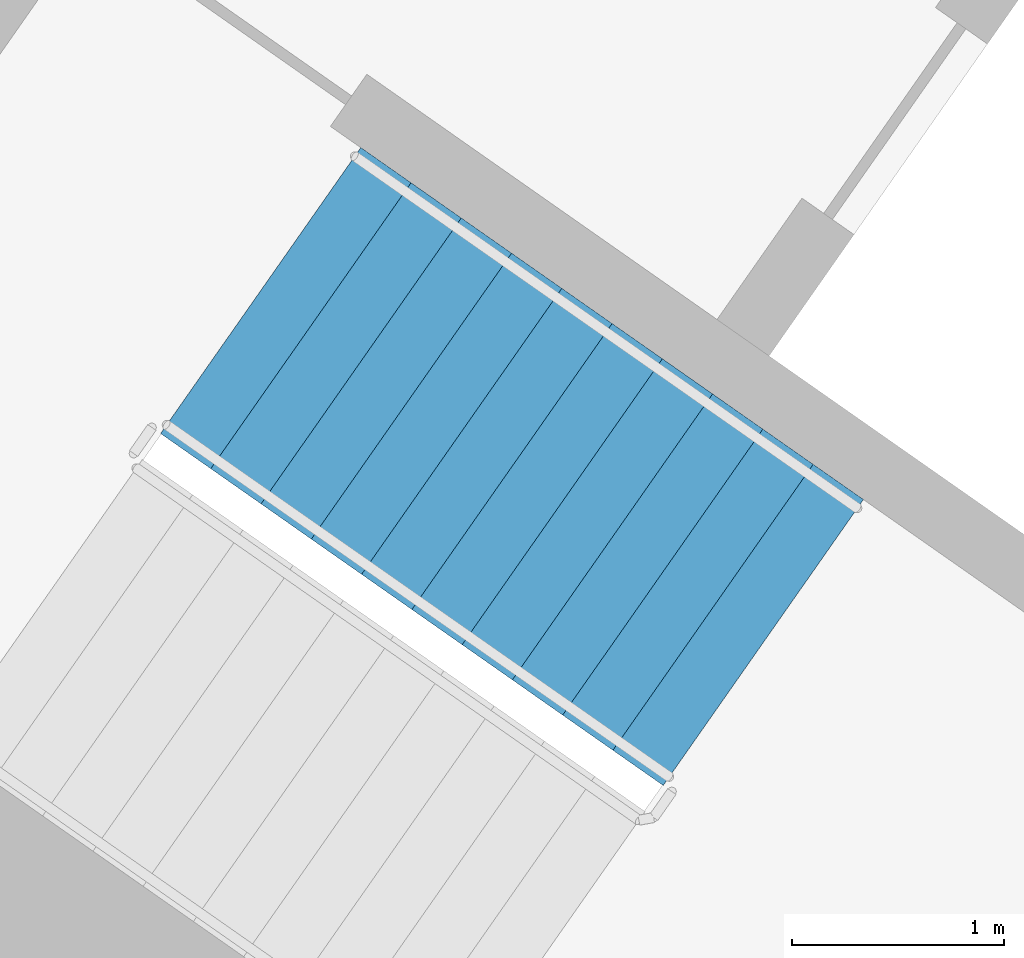
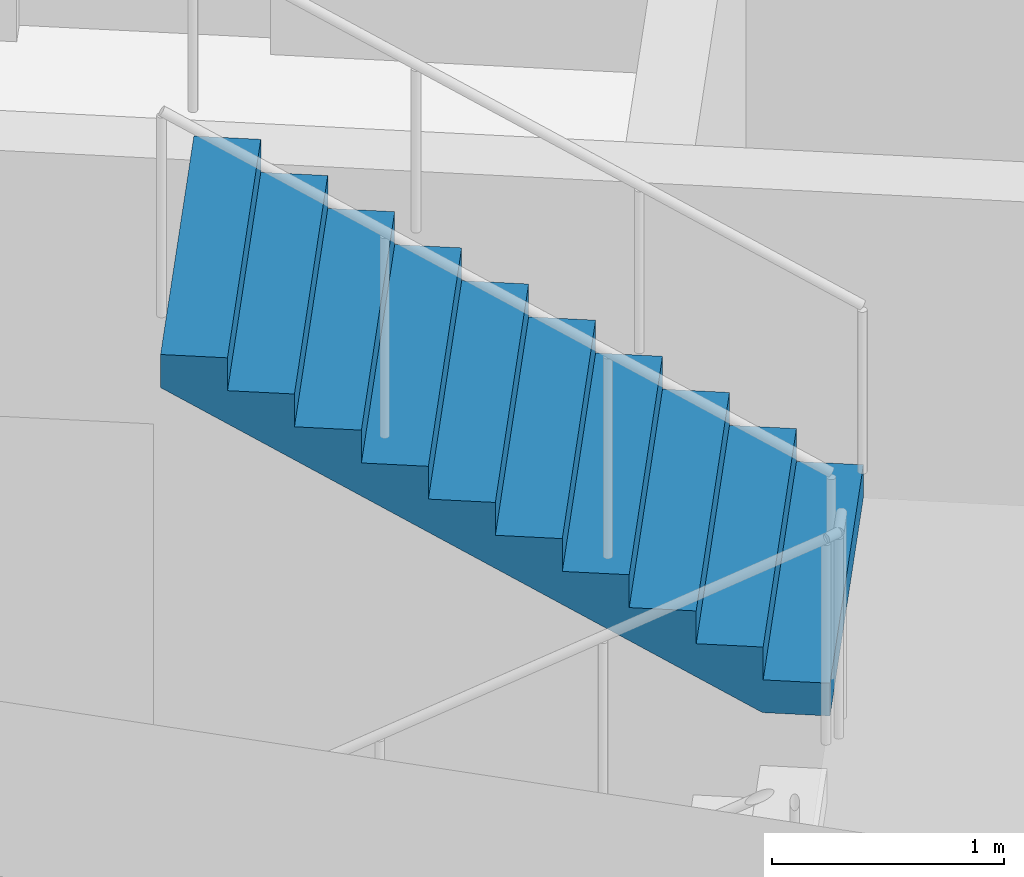
# One storey, part 11 of 31: 1 stair flight, 1 element without a shape of its own.
"""IFC4 building model written with IfcOpenShell, lengths in metres."""

from ifc_helpers import new_model, si_unit, direction, frame, origin, place, context, subcontext, project, spatial, faceted_brep, material, type_object, element, aggregate, save


model = new_model("IFC4")

# Units and contexts
model_context = context("Model", 3, precision=1e-05, world=origin(), true_north=direction((0.0, 1.0)))
body_context = subcontext(model_context, "Body", "Model", "MODEL_VIEW")
ifc_project = project(units=[si_unit("LENGTHUNIT", "METRE"), si_unit("AREAUNIT", "SQUARE_METRE"), si_unit("VOLUMEUNIT", "CUBIC_METRE"), si_unit("PLANEANGLEUNIT", "RADIAN"), si_unit("MASSUNIT", "GRAM", prefix="KILO")], contexts=[model_context])

# Site, building, storey
site_placement = place(None, origin())
site = spatial("IfcSite", under=ifc_project, at=site_placement, CompositionType="ELEMENT")
building_placement = place(site_placement, origin())
building = spatial("IfcBuilding", under=site, at=building_placement, Name="Qamariyya Broadcast Tower", CompositionType="ELEMENT")
storey_placement = place(building_placement, frame((0.0, 0.0, 55.699951171875)))
storey = spatial("IfcBuildingStorey", under=building, at=storey_placement, Name="L10", CompositionType="ELEMENT", Elevation=55.699951171875)

# Stair, stair flight
ifc_material = material(Name="Concrete C50/60", Category="concrete")
stair_type = type_object("IfcStairType", Name="Exit stair 22 risers of 173 mm", PredefinedType="HALF_TURN_STAIR", material=ifc_material)
stair_placement = place(storey_placement, origin())
stair = element("IfcStair", 1, at=stair_placement, inside=storey, type_object=stair_type, Name="L10 Stair W1", PredefinedType="HALF_TURN_STAIR")
stair_flight_type = type_object("IfcStairFlightType", Name="Exit stair flight 11 risers of 173 mm", PredefinedType="STRAIGHT", material=ifc_material)
stair_flight_placement = place(storey_placement, frame((-43.660888671875, -57.17138671875, 1.900146484375), z_axis=(0.0, 0.0, 1.0), x_axis=(-0.819152044289, 0.573576436351, 0.0)))
stair_flight = element("IfcStairFlight", 2, at=stair_flight_placement, type_object=stair_flight_type, Name="ST-W1 flight 2", NumberOfRisers=11, NumberOfTreads=10, PredefinedType="STRAIGHT", RiserHeight=0.172727273, TreadLength=0.29, context=body_context, shape_type="Brep", body=[
    faceted_brep([(0.0, 0.824951171875, 0.0), (0.0, 0.824951171875, 0.172607421875), (0.2900390625, 0.824951171875, 0.172607421875), (0.2900390625, 0.824951171875, 0.345458984375), (0.580078125, 0.824951171875, 0.345458984375), (0.580078125, 0.824951171875, 0.51806640625), (0.8701171875, 0.824951171875, 0.51806640625), (0.8701171875, 0.824951171875, 0.69091796875), (1.159912109375, 0.824951171875, 0.69091796875), (1.159912109375, 0.824951171875, 0.863525390625), (1.449951171875, 0.824951171875, 0.863525390625), (1.449951171875, 0.824951171875, 1.036376953125), (1.739990234375, 0.824951171875, 1.036376953125), (1.739990234375, 0.824951171875, 1.208984375), (2.030029296875, 0.824951171875, 1.208984375), (2.030029296875, 0.824951171875, 1.3818359375), (2.320068359375, 0.824951171875, 1.3818359375), (2.320068359375, 0.824951171875, 1.554443359375), (2.610107421875, 0.824951171875, 1.554443359375), (2.610107421875, 0.824951171875, 1.727294921875), (2.89990234375, 0.824951171875, 1.727294921875), (2.89990234375, 0.824951171875, 1.552734375), (0.29296875, 0.824951171875, 0.0), (0.29296875, -0.824951171875, 0.0), (2.89990234375, -0.824951171875, 1.552734375), (2.89990234375, -0.824951171875, 1.727294921875), (2.610107421875, -0.824951171875, 1.727294921875), (2.610107421875, -0.824951171875, 1.554443359375), (2.320068359375, -0.824951171875, 1.554443359375), (2.320068359375, -0.824951171875, 1.3818359375), (2.030029296875, -0.824951171875, 1.3818359375), (2.030029296875, -0.824951171875, 1.208984375), (1.739990234375, -0.824951171875, 1.208984375), (1.739990234375, -0.824951171875, 1.036376953125), (1.449951171875, -0.824951171875, 1.036376953125), (1.449951171875, -0.824951171875, 0.863525390625), (1.159912109375, -0.824951171875, 0.863525390625), (1.159912109375, -0.824951171875, 0.69091796875), (0.8701171875, -0.824951171875, 0.69091796875), (0.8701171875, -0.824951171875, 0.51806640625), (0.580078125, -0.824951171875, 0.51806640625), (0.580078125, -0.824951171875, 0.345458984375), (0.2900390625, -0.824951171875, 0.345458984375), (0.2900390625, -0.824951171875, 0.172607421875), (0.0, -0.824951171875, 0.172607421875), (0.0, -0.824951171875, 0.0), (0.0, 0.10009765625, 0.0), (0.0, 0.086669921875, 0.0), (0.0, 0.0732421875, 0.0), (0.0, 0.06005859375, 0.0), (0.0, 0.046630859375, 0.0), (0.0, 0.033447265625, 0.0), (0.0, 0.02001953125, 0.0), (0.0, 0.006591796875, 0.0), (0.0, -0.006591796875, 0.0), (0.0, -0.02001953125, 0.0), (0.0, -0.033447265625, 0.0), (0.0, -0.046630859375, 0.0), (0.0, -0.06005859375, 0.0), (0.0, -0.0732421875, 0.0), (0.0, -0.086669921875, 0.0), (0.0, -0.10009765625, 0.0), (0.0, -0.10009765625, 0.172607421875), (0.0, -0.086669921875, 0.172607421875), (0.0, -0.0732421875, 0.172607421875), (0.0, -0.06005859375, 0.172607421875), (0.0, -0.046630859375, 0.172607421875), (0.0, -0.033447265625, 0.172607421875), (0.0, -0.02001953125, 0.172607421875), (0.0, -0.006591796875, 0.172607421875), (0.0, 0.006591796875, 0.172607421875), (0.0, 0.02001953125, 0.172607421875), (0.0, 0.033447265625, 0.172607421875), (0.0, 0.046630859375, 0.172607421875), (0.0, 0.06005859375, 0.172607421875), (0.0, 0.0732421875, 0.172607421875), (0.0, 0.086669921875, 0.172607421875), (0.0, 0.10009765625, 0.172607421875), (0.2900390625, -0.10009765625, 0.172607421875), (0.2900390625, -0.086669921875, 0.172607421875), (0.2900390625, -0.0732421875, 0.172607421875), (0.2900390625, -0.06005859375, 0.172607421875), (0.2900390625, -0.046630859375, 0.172607421875), (0.2900390625, -0.033447265625, 0.172607421875), (0.2900390625, -0.02001953125, 0.172607421875), (0.2900390625, -0.006591796875, 0.172607421875), (0.2900390625, 0.006591796875, 0.172607421875), (0.2900390625, 0.02001953125, 0.172607421875), (0.2900390625, 0.033447265625, 0.172607421875), (0.2900390625, 0.046630859375, 0.172607421875), (0.2900390625, 0.06005859375, 0.172607421875), (0.2900390625, 0.0732421875, 0.172607421875), (0.2900390625, 0.086669921875, 0.172607421875), (0.2900390625, 0.10009765625, 0.172607421875), (0.2900390625, -0.10009765625, 0.345458984375), (0.2900390625, -0.086669921875, 0.345458984375), (0.2900390625, -0.0732421875, 0.345458984375), (0.2900390625, -0.06005859375, 0.345458984375), (0.2900390625, -0.046630859375, 0.345458984375), (0.2900390625, -0.033447265625, 0.345458984375), (0.2900390625, -0.02001953125, 0.345458984375), (0.2900390625, -0.006591796875, 0.345458984375), (0.2900390625, 0.006591796875, 0.345458984375), (0.2900390625, 0.02001953125, 0.345458984375), (0.2900390625, 0.033447265625, 0.345458984375), (0.2900390625, 0.046630859375, 0.345458984375), (0.2900390625, 0.06005859375, 0.345458984375), (0.2900390625, 0.0732421875, 0.345458984375), (0.2900390625, 0.086669921875, 0.345458984375), (0.2900390625, 0.10009765625, 0.345458984375), (0.580078125, -0.10009765625, 0.345458984375), (0.580078125, -0.086669921875, 0.345458984375), (0.580078125, -0.0732421875, 0.345458984375), (0.580078125, -0.06005859375, 0.345458984375), (0.580078125, -0.046630859375, 0.345458984375), (0.580078125, -0.033447265625, 0.345458984375), (0.580078125, -0.02001953125, 0.345458984375), (0.580078125, -0.006591796875, 0.345458984375), (0.580078125, 0.006591796875, 0.345458984375), (0.580078125, 0.02001953125, 0.345458984375), (0.580078125, 0.033447265625, 0.345458984375), (0.580078125, 0.046630859375, 0.345458984375), (0.580078125, 0.06005859375, 0.345458984375), (0.580078125, 0.0732421875, 0.345458984375), (0.580078125, 0.086669921875, 0.345458984375), (0.580078125, 0.10009765625, 0.345458984375), (0.580078125, -0.10009765625, 0.51806640625), (0.580078125, -0.086669921875, 0.51806640625), (0.580078125, -0.0732421875, 0.51806640625), (0.580078125, -0.06005859375, 0.51806640625), (0.580078125, -0.046630859375, 0.51806640625), (0.580078125, -0.033447265625, 0.51806640625), (0.580078125, -0.02001953125, 0.51806640625), (0.580078125, -0.006591796875, 0.51806640625), (0.580078125, 0.006591796875, 0.51806640625), (0.580078125, 0.02001953125, 0.51806640625), (0.580078125, 0.033447265625, 0.51806640625), (0.580078125, 0.046630859375, 0.51806640625), (0.580078125, 0.06005859375, 0.51806640625), (0.580078125, 0.0732421875, 0.51806640625), (0.580078125, 0.086669921875, 0.51806640625), (0.580078125, 0.10009765625, 0.51806640625), (0.8701171875, -0.10009765625, 0.51806640625), (0.8701171875, -0.086669921875, 0.51806640625), (0.8701171875, -0.0732421875, 0.51806640625), (0.8701171875, -0.06005859375, 0.51806640625), (0.8701171875, -0.046630859375, 0.51806640625), (0.8701171875, -0.033447265625, 0.51806640625), (0.8701171875, -0.02001953125, 0.51806640625), (0.8701171875, -0.006591796875, 0.51806640625), (0.8701171875, 0.006591796875, 0.51806640625), (0.8701171875, 0.02001953125, 0.51806640625), (0.8701171875, 0.033447265625, 0.51806640625), (0.8701171875, 0.046630859375, 0.51806640625), (0.8701171875, 0.06005859375, 0.51806640625), (0.8701171875, 0.0732421875, 0.51806640625), (0.8701171875, 0.086669921875, 0.51806640625), (0.8701171875, 0.10009765625, 0.51806640625), (0.8701171875, -0.10009765625, 0.69091796875), (0.8701171875, -0.086669921875, 0.69091796875), (0.8701171875, -0.0732421875, 0.69091796875), (0.8701171875, -0.06005859375, 0.69091796875), (0.8701171875, -0.046630859375, 0.69091796875), (0.8701171875, -0.033447265625, 0.69091796875), (0.8701171875, -0.02001953125, 0.69091796875), (0.8701171875, -0.006591796875, 0.69091796875), (0.8701171875, 0.006591796875, 0.69091796875), (0.8701171875, 0.02001953125, 0.69091796875), (0.8701171875, 0.033447265625, 0.69091796875), (0.8701171875, 0.046630859375, 0.69091796875), (0.8701171875, 0.06005859375, 0.69091796875), (0.8701171875, 0.0732421875, 0.69091796875), (0.8701171875, 0.086669921875, 0.69091796875), (0.8701171875, 0.10009765625, 0.69091796875), (1.159912109375, -0.10009765625, 0.69091796875), (1.159912109375, -0.086669921875, 0.69091796875), (1.159912109375, -0.0732421875, 0.69091796875), (1.159912109375, -0.06005859375, 0.69091796875), (1.159912109375, -0.046630859375, 0.69091796875), (1.159912109375, -0.033447265625, 0.69091796875), (1.159912109375, -0.02001953125, 0.69091796875), (1.159912109375, -0.006591796875, 0.69091796875), (1.159912109375, 0.006591796875, 0.69091796875), (1.159912109375, 0.02001953125, 0.69091796875), (1.159912109375, 0.033447265625, 0.69091796875), (1.159912109375, 0.046630859375, 0.69091796875), (1.159912109375, 0.06005859375, 0.69091796875), (1.159912109375, 0.0732421875, 0.69091796875), (1.159912109375, 0.086669921875, 0.69091796875), (1.159912109375, 0.10009765625, 0.69091796875), (1.159912109375, -0.10009765625, 0.863525390625), (1.159912109375, -0.086669921875, 0.863525390625), (1.159912109375, -0.0732421875, 0.863525390625), (1.159912109375, -0.06005859375, 0.863525390625), (1.159912109375, -0.046630859375, 0.863525390625), (1.159912109375, -0.033447265625, 0.863525390625), (1.159912109375, -0.02001953125, 0.863525390625), (1.159912109375, -0.006591796875, 0.863525390625), (1.159912109375, 0.006591796875, 0.863525390625), (1.159912109375, 0.02001953125, 0.863525390625), (1.159912109375, 0.033447265625, 0.863525390625), (1.159912109375, 0.046630859375, 0.863525390625), (1.159912109375, 0.06005859375, 0.863525390625), (1.159912109375, 0.0732421875, 0.863525390625), (1.159912109375, 0.086669921875, 0.863525390625), (1.159912109375, 0.10009765625, 0.863525390625), (1.449951171875, -0.10009765625, 0.863525390625), (1.449951171875, -0.086669921875, 0.863525390625), (1.449951171875, -0.0732421875, 0.863525390625), (1.449951171875, -0.06005859375, 0.863525390625), (1.449951171875, -0.046630859375, 0.863525390625), (1.449951171875, -0.033447265625, 0.863525390625), (1.449951171875, -0.02001953125, 0.863525390625), (1.449951171875, -0.006591796875, 0.863525390625), (1.449951171875, 0.006591796875, 0.863525390625), (1.449951171875, 0.02001953125, 0.863525390625), (1.449951171875, 0.033447265625, 0.863525390625), (1.449951171875, 0.046630859375, 0.863525390625), (1.449951171875, 0.06005859375, 0.863525390625), (1.449951171875, 0.0732421875, 0.863525390625), (1.449951171875, 0.086669921875, 0.863525390625), (1.449951171875, 0.10009765625, 0.863525390625), (1.449951171875, -0.10009765625, 1.036376953125), (1.449951171875, -0.086669921875, 1.036376953125), (1.449951171875, -0.0732421875, 1.036376953125), (1.449951171875, -0.06005859375, 1.036376953125), (1.449951171875, -0.046630859375, 1.036376953125), (1.449951171875, -0.033447265625, 1.036376953125), (1.449951171875, -0.02001953125, 1.036376953125), (1.449951171875, -0.006591796875, 1.036376953125), (1.449951171875, 0.006591796875, 1.036376953125), (1.449951171875, 0.02001953125, 1.036376953125), (1.449951171875, 0.033447265625, 1.036376953125), (1.449951171875, 0.046630859375, 1.036376953125), (1.449951171875, 0.06005859375, 1.036376953125), (1.449951171875, 0.0732421875, 1.036376953125), (1.449951171875, 0.086669921875, 1.036376953125), (1.449951171875, 0.10009765625, 1.036376953125), (1.739990234375, -0.10009765625, 1.036376953125), (1.739990234375, -0.086669921875, 1.036376953125), (1.739990234375, -0.0732421875, 1.036376953125), (1.739990234375, -0.06005859375, 1.036376953125), (1.739990234375, -0.046630859375, 1.036376953125), (1.739990234375, -0.033447265625, 1.036376953125), (1.739990234375, -0.02001953125, 1.036376953125), (1.739990234375, -0.006591796875, 1.036376953125), (1.739990234375, 0.006591796875, 1.036376953125), (1.739990234375, 0.02001953125, 1.036376953125), (1.739990234375, 0.033447265625, 1.036376953125), (1.739990234375, 0.046630859375, 1.036376953125), (1.739990234375, 0.06005859375, 1.036376953125), (1.739990234375, 0.0732421875, 1.036376953125), (1.739990234375, 0.086669921875, 1.036376953125), (1.739990234375, 0.10009765625, 1.036376953125), (1.739990234375, -0.10009765625, 1.208984375), (1.739990234375, -0.086669921875, 1.208984375), (1.739990234375, -0.0732421875, 1.208984375), (1.739990234375, -0.06005859375, 1.208984375), (1.739990234375, -0.046630859375, 1.208984375), (1.739990234375, -0.033447265625, 1.208984375), (1.739990234375, -0.02001953125, 1.208984375), (1.739990234375, -0.006591796875, 1.208984375), (1.739990234375, 0.006591796875, 1.208984375), (1.739990234375, 0.02001953125, 1.208984375), (1.739990234375, 0.033447265625, 1.208984375), (1.739990234375, 0.046630859375, 1.208984375), (1.739990234375, 0.06005859375, 1.208984375), (1.739990234375, 0.0732421875, 1.208984375), (1.739990234375, 0.086669921875, 1.208984375), (1.739990234375, 0.10009765625, 1.208984375), (2.030029296875, -0.10009765625, 1.208984375), (2.030029296875, -0.086669921875, 1.208984375), (2.030029296875, -0.0732421875, 1.208984375), (2.030029296875, -0.06005859375, 1.208984375), (2.030029296875, -0.046630859375, 1.208984375), (2.030029296875, -0.033447265625, 1.208984375), (2.030029296875, -0.02001953125, 1.208984375), (2.030029296875, -0.006591796875, 1.208984375), (2.030029296875, 0.006591796875, 1.208984375), (2.030029296875, 0.02001953125, 1.208984375), (2.030029296875, 0.033447265625, 1.208984375), (2.030029296875, 0.046630859375, 1.208984375), (2.030029296875, 0.06005859375, 1.208984375), (2.030029296875, 0.0732421875, 1.208984375), (2.030029296875, 0.086669921875, 1.208984375), (2.030029296875, 0.10009765625, 1.208984375), (2.030029296875, -0.10009765625, 1.3818359375), (2.030029296875, -0.086669921875, 1.3818359375), (2.030029296875, -0.0732421875, 1.3818359375), (2.030029296875, -0.06005859375, 1.3818359375), (2.030029296875, -0.046630859375, 1.3818359375), (2.030029296875, -0.033447265625, 1.3818359375), (2.030029296875, -0.02001953125, 1.3818359375), (2.030029296875, -0.006591796875, 1.3818359375), (2.030029296875, 0.006591796875, 1.3818359375), (2.030029296875, 0.02001953125, 1.3818359375), (2.030029296875, 0.033447265625, 1.3818359375), (2.030029296875, 0.046630859375, 1.3818359375), (2.030029296875, 0.06005859375, 1.3818359375), (2.030029296875, 0.0732421875, 1.3818359375), (2.030029296875, 0.086669921875, 1.3818359375), (2.030029296875, 0.10009765625, 1.3818359375), (2.320068359375, -0.10009765625, 1.3818359375), (2.320068359375, -0.086669921875, 1.3818359375), (2.320068359375, -0.0732421875, 1.3818359375), (2.320068359375, -0.06005859375, 1.3818359375), (2.320068359375, -0.046630859375, 1.3818359375), (2.320068359375, -0.033447265625, 1.3818359375), (2.320068359375, -0.02001953125, 1.3818359375), (2.320068359375, -0.006591796875, 1.3818359375), (2.320068359375, 0.006591796875, 1.3818359375), (2.320068359375, 0.02001953125, 1.3818359375), (2.320068359375, 0.033447265625, 1.3818359375), (2.320068359375, 0.046630859375, 1.3818359375), (2.320068359375, 0.06005859375, 1.3818359375), (2.320068359375, 0.0732421875, 1.3818359375), (2.320068359375, 0.086669921875, 1.3818359375), (2.320068359375, 0.10009765625, 1.3818359375), (2.320068359375, -0.10009765625, 1.554443359375), (2.320068359375, -0.086669921875, 1.554443359375), (2.320068359375, -0.0732421875, 1.554443359375), (2.320068359375, -0.06005859375, 1.554443359375), (2.320068359375, -0.046630859375, 1.554443359375), (2.320068359375, -0.033447265625, 1.554443359375), (2.320068359375, -0.02001953125, 1.554443359375), (2.320068359375, -0.006591796875, 1.554443359375), (2.320068359375, 0.006591796875, 1.554443359375), (2.320068359375, 0.02001953125, 1.554443359375), (2.320068359375, 0.033447265625, 1.554443359375), (2.320068359375, 0.046630859375, 1.554443359375), (2.320068359375, 0.06005859375, 1.554443359375), (2.320068359375, 0.0732421875, 1.554443359375), (2.320068359375, 0.086669921875, 1.554443359375), (2.320068359375, 0.10009765625, 1.554443359375), (2.610107421875, -0.10009765625, 1.554443359375), (2.610107421875, -0.086669921875, 1.554443359375), (2.610107421875, -0.0732421875, 1.554443359375), (2.610107421875, -0.06005859375, 1.554443359375), (2.610107421875, -0.046630859375, 1.554443359375), (2.610107421875, -0.033447265625, 1.554443359375), (2.610107421875, -0.02001953125, 1.554443359375), (2.610107421875, -0.006591796875, 1.554443359375), (2.610107421875, 0.006591796875, 1.554443359375), (2.610107421875, 0.02001953125, 1.554443359375), (2.610107421875, 0.033447265625, 1.554443359375), (2.610107421875, 0.046630859375, 1.554443359375), (2.610107421875, 0.06005859375, 1.554443359375), (2.610107421875, 0.0732421875, 1.554443359375), (2.610107421875, 0.086669921875, 1.554443359375), (2.610107421875, 0.10009765625, 1.554443359375), (2.610107421875, -0.10009765625, 1.727294921875), (2.610107421875, -0.086669921875, 1.727294921875), (2.610107421875, -0.0732421875, 1.727294921875), (2.610107421875, -0.06005859375, 1.727294921875), (2.610107421875, -0.046630859375, 1.727294921875), (2.610107421875, -0.033447265625, 1.727294921875), (2.610107421875, -0.02001953125, 1.727294921875), (2.610107421875, -0.006591796875, 1.727294921875), (2.610107421875, 0.006591796875, 1.727294921875), (2.610107421875, 0.02001953125, 1.727294921875), (2.610107421875, 0.033447265625, 1.727294921875), (2.610107421875, 0.046630859375, 1.727294921875), (2.610107421875, 0.06005859375, 1.727294921875), (2.610107421875, 0.0732421875, 1.727294921875), (2.610107421875, 0.086669921875, 1.727294921875), (2.610107421875, 0.10009765625, 1.727294921875), (2.89990234375, -0.10009765625, 1.727294921875), (2.89990234375, -0.086669921875, 1.727294921875), (2.89990234375, -0.0732421875, 1.727294921875), (2.89990234375, -0.06005859375, 1.727294921875), (2.89990234375, -0.046630859375, 1.727294921875), (2.89990234375, -0.033447265625, 1.727294921875), (2.89990234375, -0.02001953125, 1.727294921875), (2.89990234375, -0.006591796875, 1.727294921875), (2.89990234375, 0.006591796875, 1.727294921875), (2.89990234375, 0.02001953125, 1.727294921875), (2.89990234375, 0.033447265625, 1.727294921875), (2.89990234375, 0.046630859375, 1.727294921875), (2.89990234375, 0.06005859375, 1.727294921875), (2.89990234375, 0.0732421875, 1.727294921875), (2.89990234375, 0.086669921875, 1.727294921875), (2.89990234375, 0.10009765625, 1.727294921875), (2.89990234375, -0.10009765625, 1.552734375), (2.89990234375, -0.086669921875, 1.552734375), (2.89990234375, -0.0732421875, 1.552734375), (2.89990234375, -0.06005859375, 1.552734375), (2.89990234375, -0.046630859375, 1.552734375), (2.89990234375, -0.033447265625, 1.552734375), (2.89990234375, -0.02001953125, 1.552734375), (2.89990234375, -0.006591796875, 1.552734375), (2.89990234375, 0.006591796875, 1.552734375), (2.89990234375, 0.02001953125, 1.552734375), (2.89990234375, 0.033447265625, 1.552734375), (2.89990234375, 0.046630859375, 1.552734375), (2.89990234375, 0.06005859375, 1.552734375), (2.89990234375, 0.0732421875, 1.552734375), (2.89990234375, 0.086669921875, 1.552734375), (2.89990234375, 0.10009765625, 1.552734375), (0.29296875, -0.10009765625, 0.0), (0.29296875, -0.086669921875, 0.0), (0.29296875, -0.0732421875, 0.0), (0.29296875, -0.06005859375, 0.0), (0.29296875, -0.046630859375, 0.0), (0.29296875, -0.033447265625, 0.0), (0.29296875, -0.02001953125, 0.0), (0.29296875, -0.006591796875, 0.0), (0.29296875, 0.006591796875, 0.0), (0.29296875, 0.02001953125, 0.0), (0.29296875, 0.033447265625, 0.0), (0.29296875, 0.046630859375, 0.0), (0.29296875, 0.06005859375, 0.0), (0.29296875, 0.0732421875, 0.0), (0.29296875, 0.086669921875, 0.0), (0.29296875, 0.10009765625, 0.0)], [[[0, 1, 2, 3, 4, 5, 6, 7, 8, 9, 10, 11, 12, 13, 14, 15, 16, 17, 18, 19, 20, 21, 22]], [[23, 24, 25, 26, 27, 28, 29, 30, 31, 32, 33, 34, 35, 36, 37, 38, 39, 40, 41, 42, 43, 44, 45]], [[0, 46, 47, 48, 49, 50, 51, 52, 53, 54, 55, 56, 57, 58, 59, 60, 61, 45, 44, 62, 63, 64, 65, 66, 67, 68, 69, 70, 71, 72, 73, 74, 75, 76, 77, 1]], [[1, 77, 76, 75, 74, 73, 72, 71, 70, 69, 68, 67, 66, 65, 64, 63, 62, 44, 43, 78, 79, 80, 81, 82, 83, 84, 85, 86, 87, 88, 89, 90, 91, 92, 93, 2]], [[2, 93, 92, 91, 90, 89, 88, 87, 86, 85, 84, 83, 82, 81, 80, 79, 78, 43, 42, 94, 95, 96, 97, 98, 99, 100, 101, 102, 103, 104, 105, 106, 107, 108, 109, 3]], [[3, 109, 108, 107, 106, 105, 104, 103, 102, 101, 100, 99, 98, 97, 96, 95, 94, 42, 41, 110, 111, 112, 113, 114, 115, 116, 117, 118, 119, 120, 121, 122, 123, 124, 125, 4]], [[4, 125, 124, 123, 122, 121, 120, 119, 118, 117, 116, 115, 114, 113, 112, 111, 110, 41, 40, 126, 127, 128, 129, 130, 131, 132, 133, 134, 135, 136, 137, 138, 139, 140, 141, 5]], [[5, 141, 140, 139, 138, 137, 136, 135, 134, 133, 132, 131, 130, 129, 128, 127, 126, 40, 39, 142, 143, 144, 145, 146, 147, 148, 149, 150, 151, 152, 153, 154, 155, 156, 157, 6]], [[6, 157, 156, 155, 154, 153, 152, 151, 150, 149, 148, 147, 146, 145, 144, 143, 142, 39, 38, 158, 159, 160, 161, 162, 163, 164, 165, 166, 167, 168, 169, 170, 171, 172, 173, 7]], [[7, 173, 172, 171, 170, 169, 168, 167, 166, 165, 164, 163, 162, 161, 160, 159, 158, 38, 37, 174, 175, 176, 177, 178, 179, 180, 181, 182, 183, 184, 185, 186, 187, 188, 189, 8]], [[8, 189, 188, 187, 186, 185, 184, 183, 182, 181, 180, 179, 178, 177, 176, 175, 174, 37, 36, 190, 191, 192, 193, 194, 195, 196, 197, 198, 199, 200, 201, 202, 203, 204, 205, 9]], [[9, 205, 204, 203, 202, 201, 200, 199, 198, 197, 196, 195, 194, 193, 192, 191, 190, 36, 35, 206, 207, 208, 209, 210, 211, 212, 213, 214, 215, 216, 217, 218, 219, 220, 221, 10]], [[10, 221, 220, 219, 218, 217, 216, 215, 214, 213, 212, 211, 210, 209, 208, 207, 206, 35, 34, 222, 223, 224, 225, 226, 227, 228, 229, 230, 231, 232, 233, 234, 235, 236, 237, 11]], [[11, 237, 236, 235, 234, 233, 232, 231, 230, 229, 228, 227, 226, 225, 224, 223, 222, 34, 33, 238, 239, 240, 241, 242, 243, 244, 245, 246, 247, 248, 249, 250, 251, 252, 253, 12]], [[12, 253, 252, 251, 250, 249, 248, 247, 246, 245, 244, 243, 242, 241, 240, 239, 238, 33, 32, 254, 255, 256, 257, 258, 259, 260, 261, 262, 263, 264, 265, 266, 267, 268, 269, 13]], [[13, 269, 268, 267, 266, 265, 264, 263, 262, 261, 260, 259, 258, 257, 256, 255, 254, 32, 31, 270, 271, 272, 273, 274, 275, 276, 277, 278, 279, 280, 281, 282, 283, 284, 285, 14]], [[14, 285, 284, 283, 282, 281, 280, 279, 278, 277, 276, 275, 274, 273, 272, 271, 270, 31, 30, 286, 287, 288, 289, 290, 291, 292, 293, 294, 295, 296, 297, 298, 299, 300, 301, 15]], [[15, 301, 300, 299, 298, 297, 296, 295, 294, 293, 292, 291, 290, 289, 288, 287, 286, 30, 29, 302, 303, 304, 305, 306, 307, 308, 309, 310, 311, 312, 313, 314, 315, 316, 317, 16]], [[16, 317, 316, 315, 314, 313, 312, 311, 310, 309, 308, 307, 306, 305, 304, 303, 302, 29, 28, 318, 319, 320, 321, 322, 323, 324, 325, 326, 327, 328, 329, 330, 331, 332, 333, 17]], [[17, 333, 332, 331, 330, 329, 328, 327, 326, 325, 324, 323, 322, 321, 320, 319, 318, 28, 27, 334, 335, 336, 337, 338, 339, 340, 341, 342, 343, 344, 345, 346, 347, 348, 349, 18]], [[18, 349, 348, 347, 346, 345, 344, 343, 342, 341, 340, 339, 338, 337, 336, 335, 334, 27, 26, 350, 351, 352, 353, 354, 355, 356, 357, 358, 359, 360, 361, 362, 363, 364, 365, 19]], [[19, 365, 364, 363, 362, 361, 360, 359, 358, 357, 356, 355, 354, 353, 352, 351, 350, 26, 25, 366, 367, 368, 369, 370, 371, 372, 373, 374, 375, 376, 377, 378, 379, 380, 381, 20]], [[20, 381, 380, 379, 378, 377, 376, 375, 374, 373, 372, 371, 370, 369, 368, 367, 366, 25, 24, 382, 383, 384, 385, 386, 387, 388, 389, 390, 391, 392, 393, 394, 395, 396, 397, 21]], [[21, 397, 396, 395, 394, 393, 392, 391, 390, 389, 388, 387, 386, 385, 384, 383, 382, 24, 23, 398, 399, 400, 401, 402, 403, 404, 405, 406, 407, 408, 409, 410, 411, 412, 413, 22]], [[22, 413, 412, 411, 410, 409, 408, 407, 406, 405, 404, 403, 402, 401, 400, 399, 398, 23, 45, 61, 60, 59, 58, 57, 56, 55, 54, 53, 52, 51, 50, 49, 48, 47, 46, 0]]]),
])
aggregate(stair, [stair_flight])

save(model, "model.ifc")
